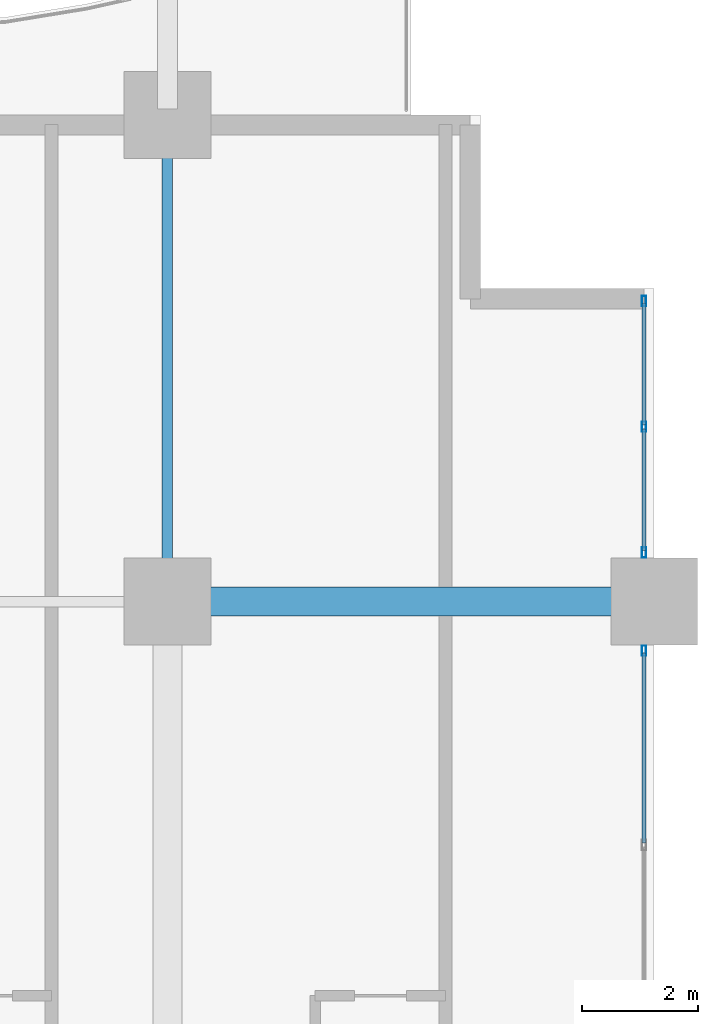
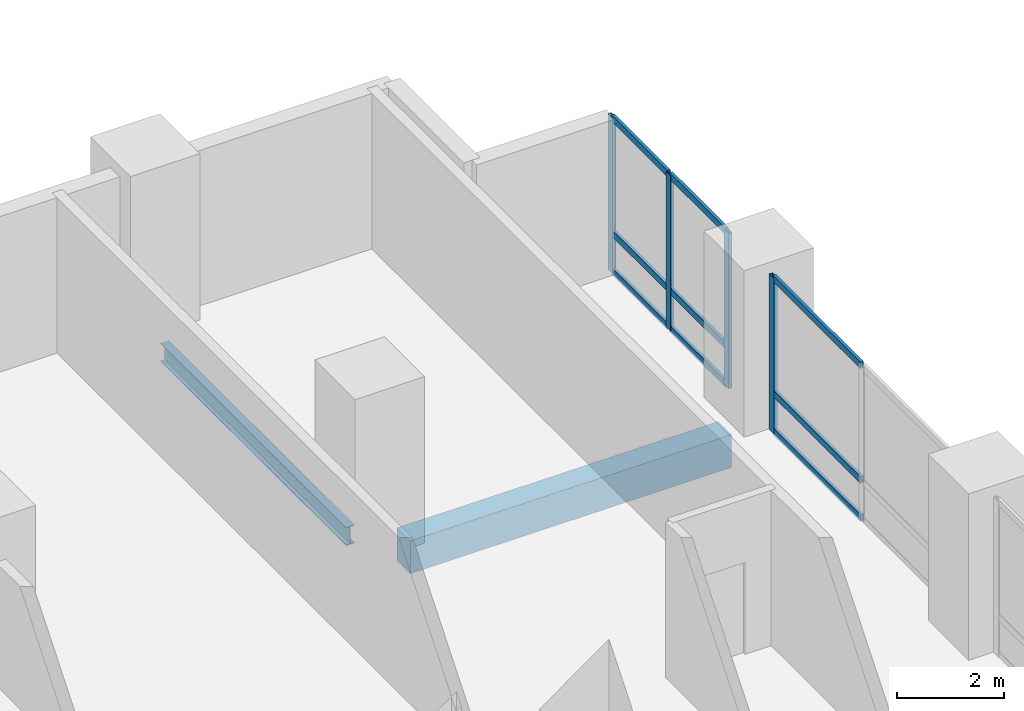
# One storey, part 7 of 26: 13 members, 2 beams, 2 elements without a shape of their own.
"""IFC4 building model written with IfcOpenShell, lengths in metres."""

from ifc_helpers import new_model, si_unit, direction, frame, origin, origin_2d, place, context, subcontext, project, spatial, rectangle, hollow_rectangle, i_section, extrude, material, layer, layer_set, material_profile, profile_set, type_object, element, aggregate, save


model = new_model("IFC4")

# Units and contexts
model_context = context("Model", 3, precision=1e-05, world=origin(), true_north=direction((0.0, 1.0)))
body_context = subcontext(model_context, "Body", "Model", "MODEL_VIEW")
ifc_project = project(units=[si_unit("LENGTHUNIT", "METRE"), si_unit("AREAUNIT", "SQUARE_METRE"), si_unit("VOLUMEUNIT", "CUBIC_METRE"), si_unit("PLANEANGLEUNIT", "RADIAN"), si_unit("MASSUNIT", "GRAM", prefix="KILO")], contexts=[model_context])

# Site, building, storey
site_placement = place(None, origin())
site = spatial("IfcSite", under=ifc_project, at=site_placement, CompositionType="ELEMENT")
building_placement = place(site_placement, origin())
building = spatial("IfcBuilding", under=site, at=building_placement, Name="Koriwani Terraces Tower", CompositionType="ELEMENT")
storey_placement = place(building_placement, frame((0.0, 0.0, 39.60009765625)))
storey = spatial("IfcBuildingStorey", under=building, at=storey_placement, Name="L08", CompositionType="ELEMENT", Elevation=39.60009765625)

# Beam
ifc_material_1 = material(Name="Concrete C50/60", Category="concrete")
ifc_material_profile_1 = material_profile(ifc_material_1, rectangle(XDim=0.5, YDim=0.75, at=origin_2d()), Name="Concrete C50/60", Category="LoadBearing")
ifc_profile_set_1 = profile_set([ifc_material_profile_1], Name="Concrete C50/60")
beam_type_1 = type_object("IfcBeamType", Name="BEAM_RC_GRID_500X750", PredefinedType="BEAM", material=ifc_profile_set_1)
beam_1_placement = place(storey_placement, frame((84.72998046875, 25.199951171875, -0.625), z_axis=(1.0, 0.0, 0.0), x_axis=(0.0, 1.0, 0.0)))
element("IfcBeam", 1, at=beam_1_placement, inside=storey, type_object=beam_type_1, Name="L08 Grid Beam D (84.0-92.4m)", PredefinedType="BEAM", context=body_context, shape_type="SweptSolid", body=[
    extrude(rectangle(XDim=0.5, YDim=0.75, at=origin_2d()), origin(), (0.0, 0.0, 1.0), 6.93994140625),
])

# Curtain wall, members
ifc_material_2 = material(Name="Anodised Bronze Aluminium", Category="aluminium")
ifc_layer = layer(ifc_material_2, 0.179931640625, Name="Anodised Bronze Aluminium")
ifc_layer_set = layer_set([ifc_layer], Name="Anodised Bronze Aluminium")
curtain_wall_type = type_object("IfcCurtainWallType", Name="CW_HOTEL_ZONE1", PredefinedType="NOTDEFINED", material=ifc_layer_set)
curtain_wall_1_placement = place(storey_placement, origin())
curtain_wall_1 = element("IfcCurtainWall", 2, at=curtain_wall_1_placement, inside=storey, type_object=curtain_wall_type, Name="L08 Unitised Curtain Wall (E_TIP) Bay 1", PredefinedType="NOTDEFINED")
ifc_material_profile_2 = material_profile(ifc_material_2, hollow_rectangle(XDim=0.074951171875, YDim=0.179931640625, WallThickness=0.006103515625, at=origin_2d()), Name="Anodised Bronze Aluminium", Category="LoadBearing")
ifc_profile_set_2 = profile_set([ifc_material_profile_2], Name="Anodised Bronze Aluminium")
member_type_1 = type_object("IfcMemberType", Name="CW_MULLION_180X75", PredefinedType="MULLION", material=ifc_profile_set_2)
member_1_placement = place(storey_placement, frame((92.22509765625, 30.387451171875, 0.0), z_axis=(0.0, 0.0, 1.0), x_axis=(1.0, 0.0, 0.0)))
member_1 = element("IfcMember", 3, at=member_1_placement, type_object=member_type_1, Name="CW-Z1 mullion 1", PredefinedType="MULLION", context=body_context, shape_type="SweptSolid", body=[
    extrude(hollow_rectangle(XDim=0.074951171875, YDim=0.179931640625, WallThickness=0.006103515625, at=origin_2d()), origin(), (0.0, 0.0, 1.0), 3.5498046875),
])
member_2_placement = place(storey_placement, frame((92.22509765625, 28.217529296875, 0.0), z_axis=(0.0, 0.0, 1.0), x_axis=(1.0, 0.0, 0.0)))
member_2 = element("IfcMember", 4, at=member_2_placement, type_object=member_type_1, Name="CW-Z1 mullion 2", PredefinedType="MULLION", context=body_context, shape_type="SweptSolid", body=[
    extrude(hollow_rectangle(XDim=0.074951171875, YDim=0.179931640625, WallThickness=0.006103515625, at=origin_2d()), origin(), (0.0, 0.0, 1.0), 3.5498046875),
])
member_3_placement = place(storey_placement, frame((92.22509765625, 26.047607421875, 0.0), z_axis=(0.0, 0.0, 1.0), x_axis=(1.0, 0.0, 0.0)))
member_3 = element("IfcMember", 5, at=member_3_placement, type_object=member_type_1, Name="CW-Z1 mullion 3", PredefinedType="MULLION", context=body_context, shape_type="SweptSolid", body=[
    extrude(hollow_rectangle(XDim=0.074951171875, YDim=0.179931640625, WallThickness=0.006103515625, at=origin_2d()), origin(), (0.0, 0.0, 1.0), 3.5498046875),
])

# Curtain wall, member
curtain_wall_2_placement = place(storey_placement, origin())
curtain_wall_2 = element("IfcCurtainWall", 6, at=curtain_wall_2_placement, inside=storey, type_object=curtain_wall_type, Name="L08 Unitised Curtain Wall (E_TIP) Bay 2", PredefinedType="NOTDEFINED")
member_4_placement = place(storey_placement, frame((92.22509765625, 24.3525390625, 0.0), z_axis=(0.0, 0.0, 1.0), x_axis=(1.0, 0.0, 0.0)))
member_4 = element("IfcMember", 7, at=member_4_placement, type_object=member_type_1, Name="CW-Z1 mullion 1", PredefinedType="MULLION", context=body_context, shape_type="SweptSolid", body=[
    extrude(hollow_rectangle(XDim=0.074951171875, YDim=0.179931640625, WallThickness=0.006103515625, at=origin_2d()), origin(), (0.0, 0.0, 1.0), 3.5498046875),
])

# Member
ifc_material_profile_3 = material_profile(ifc_material_2, hollow_rectangle(XDim=0.06494140625, YDim=0.14990234375, WallThickness=0.0048828125, at=origin_2d()), Name="Anodised Bronze Aluminium", Category="LoadBearing")
ifc_profile_set_3 = profile_set([ifc_material_profile_3], Name="Anodised Bronze Aluminium")
member_type_2 = type_object("IfcMemberType", Name="CW_TRANSOM_150X65", PredefinedType="USERDEFINED", material=ifc_profile_set_3)
member_5_placement = place(storey_placement, frame((92.22509765625, 30.35009765625, 0.032470703125), z_axis=(0.0, -1.0, 0.0), x_axis=(1.0, 0.0, 0.0)))
member_5 = element("IfcMember", 8, at=member_5_placement, type_object=member_type_2, Name="CW-Z1 transom 1.1", ObjectType="TRANSOM", PredefinedType="USERDEFINED", context=body_context, shape_type="SweptSolid", body=[
    extrude(hollow_rectangle(XDim=0.06494140625, YDim=0.14990234375, WallThickness=0.0048828125, at=origin_2d()), origin(), (0.0, 0.0, 1.0), 2.09521484375),
])

member_6_placement = place(storey_placement, frame((92.22509765625, 30.35009765625, 0.89990234375), z_axis=(0.0, -1.0, 0.0), x_axis=(1.0, 0.0, 0.0)))
member_6 = element("IfcMember", 9, at=member_6_placement, type_object=member_type_2, Name="CW-Z1 transom 1.2", ObjectType="TRANSOM", PredefinedType="USERDEFINED", context=body_context, shape_type="SweptSolid", body=[
    extrude(hollow_rectangle(XDim=0.06494140625, YDim=0.14990234375, WallThickness=0.0048828125, at=origin_2d()), origin(), (0.0, 0.0, 1.0), 2.09521484375),
])

member_7_placement = place(storey_placement, frame((92.22509765625, 30.35009765625, 3.517333984375), z_axis=(0.0, -1.0, 0.0), x_axis=(1.0, 0.0, 0.0)))
member_7 = element("IfcMember", 10, at=member_7_placement, type_object=member_type_2, Name="CW-Z1 transom 1.3", ObjectType="TRANSOM", PredefinedType="USERDEFINED", context=body_context, shape_type="SweptSolid", body=[
    extrude(hollow_rectangle(XDim=0.06494140625, YDim=0.14990234375, WallThickness=0.0048828125, at=origin_2d()), origin(), (0.0, 0.0, 1.0), 2.09521484375),
])

member_8_placement = place(storey_placement, frame((92.22509765625, 28.179931640625, 0.032470703125), z_axis=(0.0, -1.0, 0.0), x_axis=(1.0, 0.0, 0.0)))
member_8 = element("IfcMember", 11, at=member_8_placement, type_object=member_type_2, Name="CW-Z1 transom 2.1", ObjectType="TRANSOM", PredefinedType="USERDEFINED", context=body_context, shape_type="SweptSolid", body=[
    extrude(hollow_rectangle(XDim=0.06494140625, YDim=0.14990234375, WallThickness=0.0048828125, at=origin_2d()), origin(), (0.0, 0.0, 1.0), 2.094970703125),
])

member_9_placement = place(storey_placement, frame((92.22509765625, 28.179931640625, 0.89990234375), z_axis=(0.0, -1.0, 0.0), x_axis=(1.0, 0.0, 0.0)))
member_9 = element("IfcMember", 12, at=member_9_placement, type_object=member_type_2, Name="CW-Z1 transom 2.2", ObjectType="TRANSOM", PredefinedType="USERDEFINED", context=body_context, shape_type="SweptSolid", body=[
    extrude(hollow_rectangle(XDim=0.06494140625, YDim=0.14990234375, WallThickness=0.0048828125, at=origin_2d()), origin(), (0.0, 0.0, 1.0), 2.094970703125),
])

member_10_placement = place(storey_placement, frame((92.22509765625, 28.179931640625, 3.517333984375), z_axis=(0.0, -1.0, 0.0), x_axis=(1.0, 0.0, 0.0)))
member_10 = element("IfcMember", 13, at=member_10_placement, type_object=member_type_2, Name="CW-Z1 transom 2.3", ObjectType="TRANSOM", PredefinedType="USERDEFINED", context=body_context, shape_type="SweptSolid", body=[
    extrude(hollow_rectangle(XDim=0.06494140625, YDim=0.14990234375, WallThickness=0.0048828125, at=origin_2d()), origin(), (0.0, 0.0, 1.0), 2.094970703125),
])

aggregate(curtain_wall_1, [member_1, member_2, member_3, member_5, member_6, member_7, member_8, member_9, member_10])

member_11_placement = place(storey_placement, frame((92.22509765625, 24.31494140625, 0.032470703125), z_axis=(0.0, -1.0, 0.0), x_axis=(1.0, 0.0, 0.0)))
member_11 = element("IfcMember", 14, at=member_11_placement, type_object=member_type_2, Name="CW-Z1 transom 1.1", ObjectType="TRANSOM", PredefinedType="USERDEFINED", context=body_context, shape_type="SweptSolid", body=[
    extrude(hollow_rectangle(XDim=0.06494140625, YDim=0.14990234375, WallThickness=0.0048828125, at=origin_2d()), origin(), (0.0, 0.0, 1.0), 3.27734375),
])

member_12_placement = place(storey_placement, frame((92.22509765625, 24.31494140625, 0.89990234375), z_axis=(0.0, -1.0, 0.0), x_axis=(1.0, 0.0, 0.0)))
member_12 = element("IfcMember", 15, at=member_12_placement, type_object=member_type_2, Name="CW-Z1 transom 1.2", ObjectType="TRANSOM", PredefinedType="USERDEFINED", context=body_context, shape_type="SweptSolid", body=[
    extrude(hollow_rectangle(XDim=0.06494140625, YDim=0.14990234375, WallThickness=0.0048828125, at=origin_2d()), origin(), (0.0, 0.0, 1.0), 3.27734375),
])

member_13_placement = place(storey_placement, frame((92.22509765625, 24.31494140625, 3.517333984375), z_axis=(0.0, -1.0, 0.0), x_axis=(1.0, 0.0, 0.0)))
member_13 = element("IfcMember", 16, at=member_13_placement, type_object=member_type_2, Name="CW-Z1 transom 1.3", ObjectType="TRANSOM", PredefinedType="USERDEFINED", context=body_context, shape_type="SweptSolid", body=[
    extrude(hollow_rectangle(XDim=0.06494140625, YDim=0.14990234375, WallThickness=0.0048828125, at=origin_2d()), origin(), (0.0, 0.0, 1.0), 3.27734375),
])

aggregate(curtain_wall_2, [member_4, member_11, member_12, member_13])

# Beam
ifc_material_3 = material(Name="Steel ASTM A572 Grade 50", Category="steel")
ifc_material_profile_4 = material_profile(ifc_material_3, i_section(OverallWidth=0.180908203125, OverallDepth=0.4169921875, WebThickness=0.010986328125, FlangeThickness=0.018310546875, at=origin_2d()), Name="Steel ASTM A572 Grade 50", Category="LoadBearing")
ifc_profile_set_4 = profile_set([ifc_material_profile_4], Name="Steel ASTM A572 Grade 50")
beam_type_2 = type_object("IfcBeamType", Name="STEEL_BEAM_W410X85", PredefinedType="JOIST", material=ifc_profile_set_4)
beam_2_placement = place(storey_placement, frame((84.0, 25.929931640625, -0.45849609375), z_axis=(0.0, 1.0, 0.0), x_axis=(-1.0, 0.0, 0.0)))
element("IfcBeam", 17, at=beam_2_placement, inside=storey, type_object=beam_type_2, Name="L08 Grid Beam 11 (25.2-33.6m)", PredefinedType="JOIST", context=body_context, shape_type="SweptSolid", body=[
    extrude(i_section(OverallWidth=0.180908203125, OverallDepth=0.4169921875, WebThickness=0.010986328125, FlangeThickness=0.018310546875, at=origin_2d()), origin(), (0.0, 0.0, 1.0), 6.940185546875),
])

save(model, "model.ifc")
